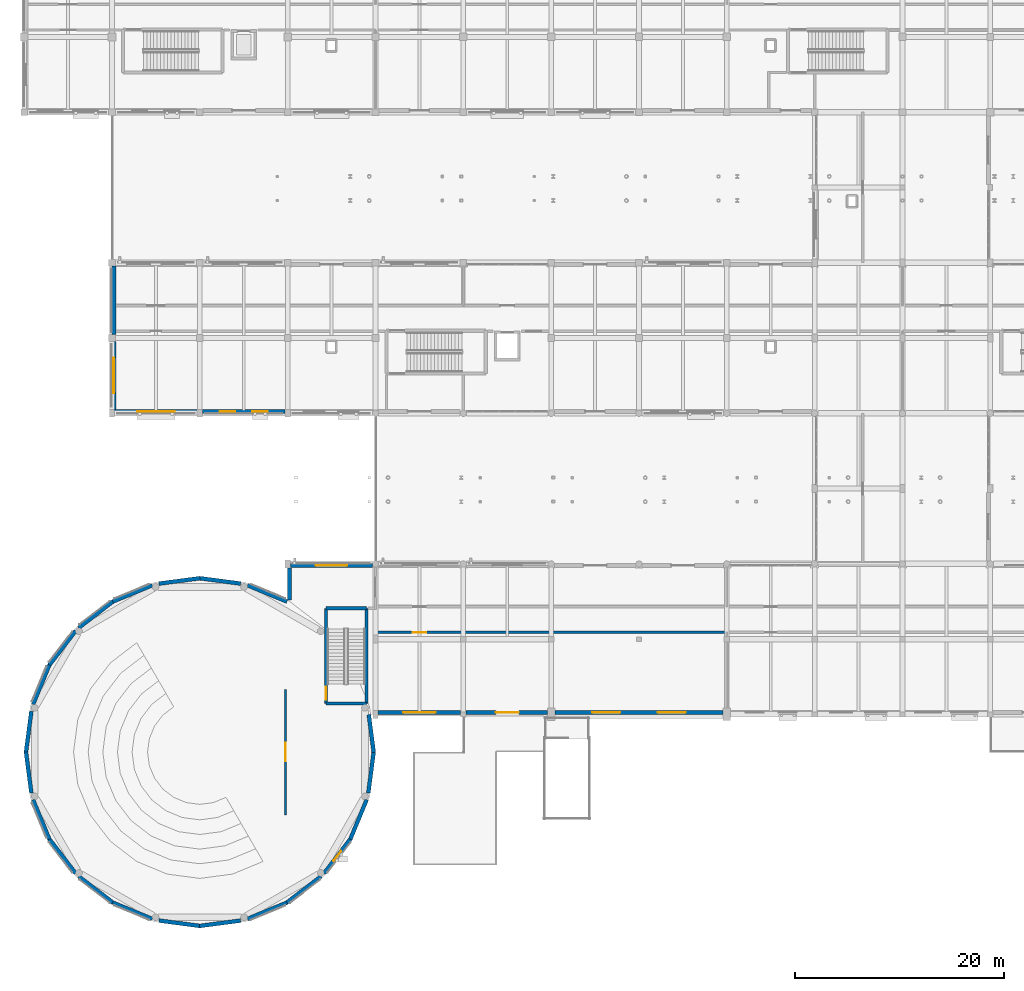
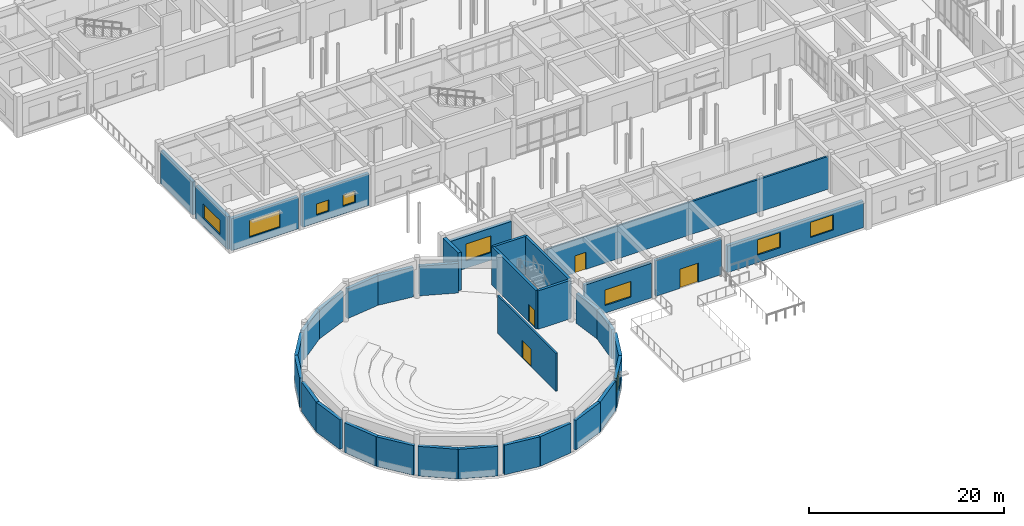
# One storey, part 72 of 121: 36 walls, 9 windows, 4 doors, 13 openings.
"""IFC4 building model written with IfcOpenShell, lengths in metres."""

from ifc_helpers import new_model, si_unit, direction, frame, frame_2d, origin, place, context, subcontext, project, spatial, rectangle, extrude, material, layer, layer_set, type_object, element, fill, save


model = new_model("IFC4")

# Units and contexts
model_context = context("Model", 3, precision=1e-05, world=origin(), true_north=direction((0.0, 1.0)))
body_context = subcontext(model_context, "Body", "Model", "MODEL_VIEW")
ifc_project = project(units=[si_unit("LENGTHUNIT", "METRE"), si_unit("AREAUNIT", "SQUARE_METRE"), si_unit("VOLUMEUNIT", "CUBIC_METRE"), si_unit("PLANEANGLEUNIT", "RADIAN"), si_unit("MASSUNIT", "GRAM", prefix="KILO")], contexts=[model_context])

# Site, building, storey
site_placement = place(None, origin())
site = spatial("IfcSite", under=ifc_project, at=site_placement, CompositionType="ELEMENT")
building_placement = place(site_placement, origin())
building = spatial("IfcBuilding", under=site, at=building_placement, Name="Malvenik Polytechnic", CompositionType="ELEMENT")
storey_placement = place(building_placement, origin())
storey = spatial("IfcBuildingStorey", under=building, at=storey_placement, Name="L00", CompositionType="ELEMENT", Elevation=0.0)

# Wall
ifc_material_1 = material(Name="Concrete C35/45", Category="concrete")
ifc_layer_1 = layer(ifc_material_1, 0.300048828125)
ifc_layer_set_1 = layer_set([ifc_layer_1], Name="Concrete C35/45")
wall_type_1 = type_object("IfcWallType", Name="ARC-CW-S300", PredefinedType="SHEAR", material=ifc_layer_set_1)
wall_1_placement = place(storey_placement, frame((32.75, 22.64990234375, 0.0), z_axis=(0.0, 0.0, 1.0), x_axis=(-1.0, 0.0, 0.0)))
element("IfcWall", 1, at=wall_1_placement, inside=storey, type_object=wall_type_1, Name="Stair Core Shear Wall ST-09 L00 NEAR", PredefinedType="SHEAR", context=body_context, shape_type="SweptSolid", body=[
    extrude(rectangle(XDim=3.89990234375, YDim=0.300048828125, at=frame_2d((1.949951171875, 0.0))), origin(), (0.0, 0.0, 1.0), 4.820068359375),
])

# Wall, opening, door
wall_2_placement = place(storey_placement, frame((28.85009765625, 22.64990234375, 0.0), z_axis=(0.0, 0.0, 1.0), x_axis=(0.0, 1.0, 0.0)))
wall_2 = element("IfcWall", 2, at=wall_2_placement, inside=storey, type_object=wall_type_1, Name="Stair Core Shear Wall ST-09 L00 RGHT", PredefinedType="SHEAR", context=body_context, shape_type="SweptSolid", body=[
    extrude(rectangle(XDim=9.10009765625, YDim=0.300048828125, at=frame_2d((4.550048828125, 0.0))), origin(), (0.0, 0.0, 1.0), 4.820068359375),
])
opening_1_placement = place(wall_2_placement, frame((0.35009765625, 0.0, 0.0)))
opening_1 = element("IfcOpeningElement", 3, at=opening_1_placement, cuts=wall_2, Name="Opening SD-02", PredefinedType="OPENING", context=body_context, shape_type="SweptSolid", body=[
    extrude(rectangle(XDim=1.25, YDim=2.199951171875, at=frame_2d((0.625, 1.10009765625))), frame((0.0, 0.16015625, 0.0), z_axis=(0.0, -1.0, 0.0), x_axis=(1.0, 0.0, 0.0)), (0.0, 0.0, 1.0), 0.320068359375),
])
ifc_material_2 = material(Name="Fire-rated steel stair enclosure door", Category="steel")
door_type_1 = type_object("IfcDoorType", Name="ARC-IDR-SD-02", OperationType="NOTDEFINED", PredefinedType="DOOR", material=ifc_material_2)
door_1_placement = place(opening_1_placement, origin())
door_1 = element("IfcDoor", 4, at=door_1_placement, inside=storey, type_object=door_type_1, Name="Fire Stair Door ST-09 L00", OperationType="SINGLE_SWING_LEFT", OverallHeight=2.199951171875, OverallWidth=1.25, PredefinedType="DOOR", context=body_context, shape_type="SweptSolid", body=[
    extrude(rectangle(XDim=1.25, YDim=2.199951171875, at=frame_2d((0.625, 1.10009765625))), frame((0.0, 0.02490234375, 0.0), z_axis=(0.0, -1.0, 0.0), x_axis=(1.0, 0.0, 0.0)), (0.0, 0.0, 1.0), 0.050048828125),
])
fill(opening_1, door_1)

# Walls
wall_3_placement = place(storey_placement, frame((28.85009765625, 31.75, 0.0), z_axis=(0.0, 0.0, 1.0), x_axis=(1.0, 0.0, 0.0)))
element("IfcWall", 5, at=wall_3_placement, inside=storey, type_object=wall_type_1, Name="Stair Core Shear Wall ST-09 L00 FAR", PredefinedType="SHEAR", context=body_context, shape_type="SweptSolid", body=[
    extrude(rectangle(XDim=3.89990234375, YDim=0.300048828125, at=frame_2d((1.949951171875, 0.0))), origin(), (0.0, 0.0, 1.0), 4.820068359375),
])
wall_4_placement = place(storey_placement, frame((32.75, 31.75, 0.0), z_axis=(0.0, 0.0, 1.0), x_axis=(0.0, -1.0, 0.0)))
element("IfcWall", 6, at=wall_4_placement, inside=storey, type_object=wall_type_1, Name="Stair Core Shear Wall ST-09 L00 LEFT", PredefinedType="SHEAR", context=body_context, shape_type="SweptSolid", body=[
    extrude(rectangle(XDim=9.10009765625, YDim=0.300048828125, at=frame_2d((4.550048828125, 0.0))), origin(), (0.0, 0.0, 1.0), 4.820068359375),
])

# Wall, opening, window
ifc_material_3 = material(Name="Concrete C30/37", Category="concrete")
ifc_layer_2 = layer(ifc_material_3, 0.3798828125)
ifc_layer_set_2 = layer_set([ifc_layer_2], Name="Concrete C30/37")
wall_type_2 = type_object("IfcWallType", Name="ARC-EW-380", PredefinedType="SOLIDWALL", material=ifc_layer_set_2)
wall_5_placement = place(storey_placement, frame((31.21435546875, 9.70361328125, 0.0), z_axis=(0.0, 0.0, 1.0), x_axis=(-0.608750869434, -0.793361442826, 0.0)))
wall_5 = element("IfcWall", 7, at=wall_5_placement, inside=storey, type_object=wall_type_2, Name="External Facade Wall EW-01 L00 #12", PredefinedType="SOLIDWALL", context=body_context, shape_type="SweptSolid", body=[
    extrude(rectangle(XDim=4.156494140625, YDim=0.3798828125, at=frame_2d((2.078125, 0.0))), origin(), (0.0, 0.0, 1.0), 3.7099609375),
])
opening_2_placement = place(wall_5_placement, frame((1.478271484375, 0.0, 0.949951171875)))
opening_2 = element("IfcOpeningElement", 8, at=opening_2_placement, cuts=wall_5, Name="Opening W-07", PredefinedType="OPENING", context=body_context, shape_type="SweptSolid", body=[
    extrude(rectangle(XDim=1.199951171875, YDim=1.800048828125, at=frame_2d((0.60009765625, 0.89990234375))), frame((0.0, 0.199951171875, 0.0), z_axis=(0.0, -1.0, 0.0), x_axis=(1.0, 0.0, 0.0)), (0.0, 0.0, 1.0), 0.39990234375),
])
ifc_material_4 = material(Name="Thermally broken aluminium frame with low-E double glazing", Category="aluminium")
window_type_1 = type_object("IfcWindowType", Name="ARC-WIN-W-07", PartitioningType="SINGLE_PANEL", PredefinedType="WINDOW", material=ifc_material_4)
window_1_placement = place(opening_2_placement, origin())
window_1 = element("IfcWindow", 9, at=window_1_placement, inside=storey, type_object=window_type_1, Name="Punched Window W-07 L00 #1", OverallHeight=1.800048828125, OverallWidth=1.199951171875, PartitioningType="SINGLE_PANEL", PredefinedType="WINDOW", context=body_context, shape_type="SweptSolid", body=[
    extrude(rectangle(XDim=1.199951171875, YDim=1.800048828125, at=frame_2d((0.60009765625, 0.89990234375))), frame((0.0, 0.030029296875, 0.0), z_axis=(0.0, -1.0, 0.0), x_axis=(1.0, 0.0, 0.0)), (0.0, 0.0, 1.0), 0.06005859375),
])
fill(opening_2, window_1)

# Walls
wall_6_placement = place(storey_placement, frame((28.39404296875, 6.115966796875, 0.0), z_axis=(0.0, 0.0, 1.0), x_axis=(-0.793361442826, -0.608750869434, 0.0)))
element("IfcWall", 10, at=wall_6_placement, inside=storey, type_object=wall_type_2, Name="External Facade Wall EW-01 L00 #13", PredefinedType="SOLIDWALL", context=body_context, shape_type="SweptSolid", body=[
    extrude(rectangle(XDim=4.156494140625, YDim=0.3798828125, at=frame_2d((2.078125, 0.0))), origin(), (0.0, 0.0, 1.0), 3.7099609375),
])
wall_7_placement = place(storey_placement, frame((25.135009765625, 3.60791015625, 0.0), z_axis=(0.0, 0.0, 1.0), x_axis=(-0.923864101576, -0.382720683815, 0.0)))
element("IfcWall", 11, at=wall_7_placement, inside=storey, type_object=wall_type_2, Name="External Facade Wall EW-01 L00 #14", PredefinedType="SOLIDWALL", context=body_context, shape_type="SweptSolid", body=[
    extrude(rectangle(XDim=4.091552734375, YDim=0.3798828125, at=frame_2d((2.0458984375, 0.0))), origin(), (0.0, 0.0, 1.0), 3.7099609375),
])
for number, where, z_axis, x_axis, name in (
    (12, (20.708984375, 1.885986328125, 0.0), (0.0, 0.0, 1.0), (-0.991443813666, -0.130534150104, 0.0), "External Facade Wall EW-01 L00 #15"),
    (13, (16.822265625, 1.368408203125, 0.0), (0.0, 0.0, 1.0), (-0.991443813666, 0.130534150104, 0.0), "External Facade Wall EW-01 L00 #16"),
):
    element("IfcWall", number, at=place(storey_placement, frame(where, z_axis=z_axis, x_axis=x_axis)), inside=storey, type_object=wall_type_2, Name=name, PredefinedType="SOLIDWALL", context=body_context, shape_type="SweptSolid", body=[
        extrude(rectangle(XDim=3.965087890625, YDim=0.3798828125, at=frame_2d((1.982421875, 0.0))), origin(), (0.0, 0.0, 1.0), 3.7099609375),
    ])
wall_8_placement = place(storey_placement, frame((12.2451171875, 2.0419921875, 0.0), z_axis=(0.0, 0.0, 1.0), x_axis=(-0.923864101576, 0.382720683815, 0.0)))
element("IfcWall", 14, at=wall_8_placement, inside=storey, type_object=wall_type_2, Name="External Facade Wall EW-01 L00 #17", PredefinedType="SOLIDWALL", context=body_context, shape_type="SweptSolid", body=[
    extrude(rectangle(XDim=4.091552734375, YDim=0.3798828125, at=frame_2d((2.0458984375, 0.0))), origin(), (0.0, 0.0, 1.0), 3.7099609375),
])
for number, where, z_axis, x_axis, name in (
    (15, (8.50341796875, 3.585693359375, 0.0), (0.0, 0.0, 1.0), (-0.793361442826, 0.608750869434, 0.0), "External Facade Wall EW-01 L00 #18"),
    (16, (4.916015625, 6.406005859375, 0.0), (0.0, 0.0, 1.0), (-0.608750869434, 0.793361442826, 0.0), "External Facade Wall EW-01 L00 #19"),
):
    element("IfcWall", number, at=place(storey_placement, frame(where, z_axis=z_axis, x_axis=x_axis)), inside=storey, type_object=wall_type_2, Name=name, PredefinedType="SOLIDWALL", context=body_context, shape_type="SweptSolid", body=[
        extrude(rectangle(XDim=4.156494140625, YDim=0.3798828125, at=frame_2d((2.078125, 0.0))), origin(), (0.0, 0.0, 1.0), 3.7099609375),
    ])
wall_9_placement = place(storey_placement, frame((2.407958984375, 9.6650390625, 0.0), z_axis=(0.0, 0.0, 1.0), x_axis=(-0.382720683815, 0.923864101576, 0.0)))
element("IfcWall", 17, at=wall_9_placement, inside=storey, type_object=wall_type_2, Name="External Facade Wall EW-01 L00 #20", PredefinedType="SOLIDWALL", context=body_context, shape_type="SweptSolid", body=[
    extrude(rectangle(XDim=4.091552734375, YDim=0.3798828125, at=frame_2d((2.0458984375, 0.0))), origin(), (0.0, 0.0, 1.0), 3.7099609375),
])
for number, where, z_axis, x_axis, name in (
    (18, (0.68603515625, 14.091064453125, 0.0), (0.0, 0.0, 1.0), (-0.130534150104, 0.991443813666, 0.0), "External Facade Wall EW-01 L00 #21"),
    (19, (0.16845703125, 17.977783203125, 0.0), (0.0, 0.0, 1.0), (0.130534150104, 0.991443813666, 0.0), "External Facade Wall EW-01 L00 #22"),
):
    element("IfcWall", number, at=place(storey_placement, frame(where, z_axis=z_axis, x_axis=x_axis)), inside=storey, type_object=wall_type_2, Name=name, PredefinedType="SOLIDWALL", context=body_context, shape_type="SweptSolid", body=[
        extrude(rectangle(XDim=3.965087890625, YDim=0.3798828125, at=frame_2d((1.982421875, 0.0))), origin(), (0.0, 0.0, 1.0), 3.7099609375),
    ])
wall_10_placement = place(storey_placement, frame((0.842041015625, 22.554931640625, 0.0), z_axis=(0.0, 0.0, 1.0), x_axis=(0.382720683815, 0.923864101576, 0.0)))
element("IfcWall", 20, at=wall_10_placement, inside=storey, type_object=wall_type_2, Name="External Facade Wall EW-01 L00 #23", PredefinedType="SOLIDWALL", context=body_context, shape_type="SweptSolid", body=[
    extrude(rectangle(XDim=4.091552734375, YDim=0.3798828125, at=frame_2d((2.0458984375, 0.0))), origin(), (0.0, 0.0, 1.0), 3.7099609375),
])
for number, where, z_axis, x_axis, name in (
    (21, (2.3857421875, 26.29638671875, 0.0), (0.0, 0.0, 1.0), (0.608750869434, 0.793361442826, 0.0), "External Facade Wall EW-01 L00 #24"),
    (22, (5.205810546875, 29.884033203125, 0.0), (0.0, 0.0, 1.0), (0.793361442826, 0.608750869434, 0.0), "External Facade Wall EW-01 L00 #25"),
):
    element("IfcWall", number, at=place(storey_placement, frame(where, z_axis=z_axis, x_axis=x_axis)), inside=storey, type_object=wall_type_2, Name=name, PredefinedType="SOLIDWALL", context=body_context, shape_type="SweptSolid", body=[
        extrude(rectangle(XDim=4.156494140625, YDim=0.3798828125, at=frame_2d((2.078125, 0.0))), origin(), (0.0, 0.0, 1.0), 3.7099609375),
    ])
wall_11_placement = place(storey_placement, frame((8.465087890625, 32.39208984375, 0.0), z_axis=(0.0, 0.0, 1.0), x_axis=(0.923864101576, 0.382720683815, 0.0)))
element("IfcWall", 23, at=wall_11_placement, inside=storey, type_object=wall_type_2, Name="External Facade Wall EW-01 L00 #26", PredefinedType="SOLIDWALL", context=body_context, shape_type="SweptSolid", body=[
    extrude(rectangle(XDim=4.091552734375, YDim=0.3798828125, at=frame_2d((2.0458984375, 0.0))), origin(), (0.0, 0.0, 1.0), 3.7099609375),
])
for number, where, z_axis, x_axis, name in (
    (24, (12.89111328125, 34.114013671875, 0.0), (0.0, 0.0, 1.0), (0.991443813666, 0.130534150104, 0.0), "External Facade Wall EW-01 L00 #27"),
    (25, (16.77783203125, 34.631591796875, 0.0), (0.0, 0.0, 1.0), (0.991443813666, -0.130534150104, 0.0), "External Facade Wall EW-01 L00 #28"),
):
    element("IfcWall", number, at=place(storey_placement, frame(where, z_axis=z_axis, x_axis=x_axis)), inside=storey, type_object=wall_type_2, Name=name, PredefinedType="SOLIDWALL", context=body_context, shape_type="SweptSolid", body=[
        extrude(rectangle(XDim=3.965087890625, YDim=0.3798828125, at=frame_2d((1.982421875, 0.0))), origin(), (0.0, 0.0, 1.0), 3.7099609375),
    ])
wall_12_placement = place(storey_placement, frame((21.35498046875, 33.9580078125, 0.0), z_axis=(0.0, 0.0, 1.0), x_axis=(0.923864101576, -0.382720683815, 0.0)))
element("IfcWall", 26, at=wall_12_placement, inside=storey, type_object=wall_type_2, Name="External Facade Wall EW-01 L00 #29", PredefinedType="SOLIDWALL", context=body_context, shape_type="SweptSolid", body=[
    extrude(rectangle(XDim=4.091552734375, YDim=0.3798828125, at=frame_2d((2.0458984375, 0.0))), origin(), (0.0, 0.0, 1.0), 3.7099609375),
])
wall_13_placement = place(storey_placement, frame((25.3701171875, 32.54931640625, 0.0), z_axis=(0.0, 0.0, 1.0), x_axis=(0.0, 1.0, 0.0)))
element("IfcWall", 27, at=wall_13_placement, inside=storey, type_object=wall_type_2, Name="External Facade Wall EW-01 L00 #30", PredefinedType="SOLIDWALL", context=body_context, shape_type="SweptSolid", body=[
    extrude(rectangle(XDim=3.07763671875, YDim=0.3798828125, at=frame_2d((1.538818359375, 0.0))), origin(), (0.0, 0.0, 1.0), 4.760009765625),
])

# Wall, opening, window
wall_14_placement = place(storey_placement, frame((25.447998046875, 35.830078125, 0.0), z_axis=(0.0, 0.0, 1.0), x_axis=(1.0, 0.0, 0.0)))
wall_14 = element("IfcWall", 28, at=wall_14_placement, inside=storey, type_object=wall_type_2, Name="External Facade Wall EW-01 L00 #31", PredefinedType="SOLIDWALL", context=body_context, shape_type="SweptSolid", body=[
    extrude(rectangle(XDim=7.85400390625, YDim=0.3798828125, at=frame_2d((3.927001953125, 0.0))), origin(), (0.0, 0.0, 1.0), 4.010009765625),
])
opening_3_placement = place(wall_14_placement, frame((2.427001953125, 0.0, 0.949951171875)))
opening_3 = element("IfcOpeningElement", 29, at=opening_3_placement, cuts=wall_14, Name="Opening W-08", PredefinedType="OPENING", context=body_context, shape_type="SweptSolid", body=[
    extrude(rectangle(XDim=3.0, YDim=2.10009765625, at=frame_2d((1.5, 1.050048828125))), frame((0.0, 0.199951171875, 0.0), z_axis=(0.0, -1.0, 0.0), x_axis=(1.0, 0.0, 0.0)), (0.0, 0.0, 1.0), 0.39990234375),
])
window_type_2 = type_object("IfcWindowType", Name="ARC-WIN-W-08", PartitioningType="SINGLE_PANEL", PredefinedType="WINDOW", material=ifc_material_4)
window_2_placement = place(opening_3_placement, origin())
window_2 = element("IfcWindow", 30, at=window_2_placement, inside=storey, type_object=window_type_2, Name="Punched Window W-08 L00 #2", OverallHeight=2.10009765625, OverallWidth=3.0, PartitioningType="SINGLE_PANEL", PredefinedType="WINDOW", context=body_context, shape_type="SweptSolid", body=[
    extrude(rectangle(XDim=3.0, YDim=2.10009765625, at=frame_2d((1.5, 1.050048828125))), frame((0.0, 0.030029296875, 0.0), z_axis=(0.0, -1.0, 0.0), x_axis=(1.0, 0.0, 0.0)), (0.0, 0.0, 1.0), 0.06005859375),
])
fill(opening_3, window_2)

# Wall, openings, windows
wall_15_placement = place(storey_placement, frame((24.951904296875, 50.570068359375, 0.0), z_axis=(0.0, 0.0, 1.0), x_axis=(-1.0, 0.0, 0.0)))
wall_15 = element("IfcWall", 31, at=wall_15_placement, inside=storey, type_object=wall_type_2, Name="External Facade Wall EW-01 L00 #41", PredefinedType="SOLIDWALL", context=body_context, shape_type="SweptSolid", body=[
    extrude(rectangle(XDim=7.90380859375, YDim=0.3798828125, at=frame_2d((3.951904296875, 0.0))), origin(), (0.0, 0.0, 1.0), 4.010009765625),
])
opening_4_placement = place(wall_15_placement, frame((1.634765625, 0.0, 0.949951171875)))
opening_4 = element("IfcOpeningElement", 32, at=opening_4_placement, cuts=wall_15, Name="Opening W-15", PredefinedType="OPENING", context=body_context, shape_type="SweptSolid", body=[
    extrude(rectangle(XDim=1.5, YDim=1.39990234375, at=frame_2d((0.75, 0.699951171875))), frame((0.0, 0.199951171875, 0.0), z_axis=(0.0, -1.0, 0.0), x_axis=(1.0, 0.0, 0.0)), (0.0, 0.0, 1.0), 0.39990234375),
])
opening_5_placement = place(wall_15_placement, frame((4.769287109375, 0.0, 0.949951171875)))
opening_5 = element("IfcOpeningElement", 33, at=opening_5_placement, cuts=wall_15, Name="Opening W-15", PredefinedType="OPENING", context=body_context, shape_type="SweptSolid", body=[
    extrude(rectangle(XDim=1.5, YDim=1.39990234375, at=frame_2d((0.75, 0.699951171875))), frame((0.0, 0.199951171875, 0.0), z_axis=(0.0, -1.0, 0.0), x_axis=(1.0, 0.0, 0.0)), (0.0, 0.0, 1.0), 0.39990234375),
])
window_type_3 = type_object("IfcWindowType", Name="ARC-WIN-W-15", PartitioningType="SINGLE_PANEL", PredefinedType="WINDOW", material=ifc_material_4)
window_3_placement = place(opening_4_placement, origin())
window_3 = element("IfcWindow", 34, at=window_3_placement, inside=storey, type_object=window_type_3, Name="Punched Window W-15 L00 #9", OverallHeight=1.39990234375, OverallWidth=1.5, PartitioningType="SINGLE_PANEL", PredefinedType="WINDOW", context=body_context, shape_type="SweptSolid", body=[
    extrude(rectangle(XDim=1.5, YDim=1.39990234375, at=frame_2d((0.75, 0.699951171875))), frame((0.0, 0.030029296875, 0.0), z_axis=(0.0, -1.0, 0.0), x_axis=(1.0, 0.0, 0.0)), (0.0, 0.0, 1.0), 0.06005859375),
])
fill(opening_4, window_3)
window_4_placement = place(opening_5_placement, origin())
window_4 = element("IfcWindow", 35, at=window_4_placement, inside=storey, type_object=window_type_3, Name="Punched Window W-15 L00 #10", OverallHeight=1.39990234375, OverallWidth=1.5, PartitioningType="SINGLE_PANEL", PredefinedType="WINDOW", context=body_context, shape_type="SweptSolid", body=[
    extrude(rectangle(XDim=1.5, YDim=1.39990234375, at=frame_2d((0.75, 0.699951171875))), frame((0.0, 0.030029296875, 0.0), z_axis=(0.0, -1.0, 0.0), x_axis=(1.0, 0.0, 0.0)), (0.0, 0.0, 1.0), 0.06005859375),
])
fill(opening_5, window_4)

# Wall, opening, window
wall_16_placement = place(storey_placement, frame((16.552001953125, 50.570068359375, 0.0), z_axis=(0.0, 0.0, 1.0), x_axis=(-1.0, 0.0, 0.0)))
wall_16 = element("IfcWall", 36, at=wall_16_placement, inside=storey, type_object=wall_type_2, Name="External Facade Wall EW-01 L00 #42", PredefinedType="SOLIDWALL", context=body_context, shape_type="SweptSolid", body=[
    extrude(rectangle(XDim=7.904052734375, YDim=0.3798828125, at=frame_2d((3.9521484375, 0.0))), origin(), (0.0, 0.0, 1.0), 4.010009765625),
])
opening_6_placement = place(wall_16_placement, frame((2.152099609375, 0.0, 0.949951171875)))
opening_6 = element("IfcOpeningElement", 37, at=opening_6_placement, cuts=wall_16, Name="Opening W-17", PredefinedType="OPENING", context=body_context, shape_type="SweptSolid", body=[
    extrude(rectangle(XDim=3.60009765625, YDim=2.10009765625, at=frame_2d((1.800048828125, 1.050048828125))), frame((0.0, 0.199951171875, 0.0), z_axis=(0.0, -1.0, 0.0), x_axis=(1.0, 0.0, 0.0)), (0.0, 0.0, 1.0), 0.39990234375),
])
window_type_4 = type_object("IfcWindowType", Name="ARC-WIN-W-17", PartitioningType="SINGLE_PANEL", PredefinedType="WINDOW", material=ifc_material_4)
window_5_placement = place(opening_6_placement, origin())
window_5 = element("IfcWindow", 38, at=window_5_placement, inside=storey, type_object=window_type_4, Name="Punched Window W-17 L00 #11", OverallHeight=2.10009765625, OverallWidth=3.60009765625, PartitioningType="SINGLE_PANEL", PredefinedType="WINDOW", context=body_context, shape_type="SweptSolid", body=[
    extrude(rectangle(XDim=3.60009765625, YDim=2.10009765625, at=frame_2d((1.800048828125, 1.050048828125))), frame((0.0, 0.030029296875, 0.0), z_axis=(0.0, -1.0, 0.0), x_axis=(1.0, 0.0, 0.0)), (0.0, 0.0, 1.0), 0.06005859375),
])
fill(opening_6, window_5)

wall_17_placement = place(storey_placement, frame((8.570068359375, 50.77294921875, 0.0), z_axis=(0.0, 0.0, 1.0), x_axis=(0.0, 1.0, 0.0)))
wall_17 = element("IfcWall", 39, at=wall_17_placement, inside=storey, type_object=wall_type_2, Name="External Facade Wall EW-01 L00 #43", PredefinedType="SOLIDWALL", context=body_context, shape_type="SweptSolid", body=[
    extrude(rectangle(XDim=6.504150390625, YDim=0.3798828125, at=frame_2d((3.251953125, 0.0))), origin(), (0.0, 0.0, 1.0), 4.110107421875),
])
opening_7_placement = place(wall_17_placement, frame((1.552001953125, 0.0, 0.949951171875)))
opening_7 = element("IfcOpeningElement", 40, at=opening_7_placement, cuts=wall_17, Name="Opening W-18", PredefinedType="OPENING", context=body_context, shape_type="SweptSolid", body=[
    extrude(rectangle(XDim=3.39990234375, YDim=1.800048828125, at=frame_2d((1.699951171875, 0.89990234375))), frame((0.0, 0.199951171875, 0.0), z_axis=(0.0, -1.0, 0.0), x_axis=(1.0, 0.0, 0.0)), (0.0, 0.0, 1.0), 0.39990234375),
])
window_type_5 = type_object("IfcWindowType", Name="ARC-WIN-W-18", PartitioningType="SINGLE_PANEL", PredefinedType="WINDOW", material=ifc_material_4)
window_6_placement = place(opening_7_placement, origin())
window_6 = element("IfcWindow", 41, at=window_6_placement, inside=storey, type_object=window_type_5, Name="Punched Window W-18 L00 #12", OverallHeight=1.800048828125, OverallWidth=3.39990234375, PartitioningType="SINGLE_PANEL", PredefinedType="WINDOW", context=body_context, shape_type="SweptSolid", body=[
    extrude(rectangle(XDim=3.39990234375, YDim=1.800048828125, at=frame_2d((1.699951171875, 0.89990234375))), frame((0.0, 0.030029296875, 0.0), z_axis=(0.0, -1.0, 0.0), x_axis=(1.0, 0.0, 0.0)), (0.0, 0.0, 1.0), 0.06005859375),
])
fill(opening_7, window_6)

# Wall
wall_18_placement = place(storey_placement, frame((8.570068359375, 57.923095703125, 0.0), z_axis=(0.0, 0.0, 1.0), x_axis=(0.0, 1.0, 0.0)))
element("IfcWall", 42, at=wall_18_placement, inside=storey, type_object=wall_type_2, Name="External Facade Wall EW-01 L00 #44", PredefinedType="SOLIDWALL", context=body_context, shape_type="SweptSolid", body=[
    extrude(rectangle(XDim=6.553955078125, YDim=0.3798828125, at=frame_2d((3.27685546875, 0.0))), origin(), (0.0, 0.0, 1.0), 4.110107421875),
])

# Wall, openings, windows
wall_19_placement = place(storey_placement, frame((66.85205078125, 21.77001953125, 0.0), z_axis=(0.0, 0.0, 1.0), x_axis=(-1.0, 0.0, 0.0)))
wall_19 = element("IfcWall", 43, at=wall_19_placement, inside=storey, type_object=wall_type_2, Name="External Facade Wall EW-01 L00 #151", PredefinedType="SOLIDWALL", context=body_context, shape_type="SweptSolid", body=[
    extrude(rectangle(XDim=16.10400390625, YDim=0.3798828125, at=frame_2d((8.052001953125, 0.0))), origin(), (0.0, 0.0, 1.0), 3.31005859375),
])
opening_8_placement = place(wall_19_placement, frame((3.568115234375, 0.0, 0.949951171875)))
opening_8 = element("IfcOpeningElement", 44, at=opening_8_placement, cuts=wall_19, Name="Opening W-27", PredefinedType="OPENING", context=body_context, shape_type="SweptSolid", body=[
    extrude(rectangle(XDim=2.699951171875, YDim=1.89990234375, at=frame_2d((1.35009765625, 0.949951171875))), frame((0.0, 0.199951171875, 0.0), z_axis=(0.0, -1.0, 0.0), x_axis=(1.0, 0.0, 0.0)), (0.0, 0.0, 1.0), 0.39990234375),
])
opening_9_placement = place(wall_19_placement, frame((9.8359375, 0.0, 0.949951171875)))
opening_9 = element("IfcOpeningElement", 45, at=opening_9_placement, cuts=wall_19, Name="Opening W-27", PredefinedType="OPENING", context=body_context, shape_type="SweptSolid", body=[
    extrude(rectangle(XDim=2.699951171875, YDim=1.89990234375, at=frame_2d((1.35009765625, 0.949951171875))), frame((0.0, 0.199951171875, 0.0), z_axis=(0.0, -1.0, 0.0), x_axis=(1.0, 0.0, 0.0)), (0.0, 0.0, 1.0), 0.39990234375),
])
window_type_6 = type_object("IfcWindowType", Name="ARC-WIN-W-27", PartitioningType="SINGLE_PANEL", PredefinedType="WINDOW", material=ifc_material_4)
window_7_placement = place(opening_8_placement, origin())
window_7 = element("IfcWindow", 46, at=window_7_placement, inside=storey, type_object=window_type_6, Name="Punched Window W-27 L00 #117", OverallHeight=1.89990234375, OverallWidth=2.699951171875, PartitioningType="SINGLE_PANEL", PredefinedType="WINDOW", context=body_context, shape_type="SweptSolid", body=[
    extrude(rectangle(XDim=2.699951171875, YDim=1.89990234375, at=frame_2d((1.35009765625, 0.949951171875))), frame((0.0, 0.030029296875, 0.0), z_axis=(0.0, -1.0, 0.0), x_axis=(1.0, 0.0, 0.0)), (0.0, 0.0, 1.0), 0.06005859375),
])
fill(opening_8, window_7)
window_8_placement = place(opening_9_placement, origin())
window_8 = element("IfcWindow", 47, at=window_8_placement, inside=storey, type_object=window_type_6, Name="Punched Window W-27 L00 #118", OverallHeight=1.89990234375, OverallWidth=2.699951171875, PartitioningType="SINGLE_PANEL", PredefinedType="WINDOW", context=body_context, shape_type="SweptSolid", body=[
    extrude(rectangle(XDim=2.699951171875, YDim=1.89990234375, at=frame_2d((1.35009765625, 0.949951171875))), frame((0.0, 0.030029296875, 0.0), z_axis=(0.0, -1.0, 0.0), x_axis=(1.0, 0.0, 0.0)), (0.0, 0.0, 1.0), 0.06005859375),
])
fill(opening_9, window_8)

# Wall, opening, door
wall_20_placement = place(storey_placement, frame((50.052001953125, 21.77001953125, 0.0), z_axis=(0.0, 0.0, 1.0), x_axis=(-1.0, 0.0, 0.0)))
wall_20 = element("IfcWall", 48, at=wall_20_placement, inside=storey, type_object=wall_type_2, Name="External Facade Wall EW-01 L00 #152", PredefinedType="SOLIDWALL", context=body_context, shape_type="SweptSolid", body=[
    extrude(rectangle(XDim=7.803955078125, YDim=0.3798828125, at=frame_2d((3.90185546875, 0.0))), origin(), (0.0, 0.0, 1.0), 4.468017578125),
])
opening_10_placement = place(wall_20_placement, frame((2.751953125, 0.0, 0.0)))
opening_10 = element("IfcOpeningElement", 49, at=opening_10_placement, cuts=wall_20, Name="Opening ED-02", PredefinedType="OPENING", context=body_context, shape_type="SweptSolid", body=[
    extrude(rectangle(XDim=2.199951171875, YDim=2.39990234375, at=frame_2d((1.10009765625, 1.199951171875))), frame((0.0, 0.199951171875, 0.0), z_axis=(0.0, -1.0, 0.0), x_axis=(1.0, 0.0, 0.0)), (0.0, 0.0, 1.0), 0.39990234375),
])
ifc_material_5 = material(Name="Thermally broken glazed aluminium entrance door", Category="aluminium")
door_type_2 = type_object("IfcDoorType", Name="ARC-EDR-ED-02", OperationType="NOTDEFINED", PredefinedType="DOOR", material=ifc_material_5)
door_2_placement = place(opening_10_placement, origin())
door_2 = element("IfcDoor", 50, at=door_2_placement, inside=storey, type_object=door_type_2, Name="External Door ED-02 L00 #34", OperationType="DOUBLE_DOOR_SINGLE_SWING", OverallHeight=2.39990234375, OverallWidth=2.199951171875, PredefinedType="DOOR", context=body_context, shape_type="SweptSolid", body=[
    extrude(rectangle(XDim=2.199951171875, YDim=2.39990234375, at=frame_2d((1.10009765625, 1.199951171875))), frame((0.0, 0.02490234375, 0.0), z_axis=(0.0, -1.0, 0.0), x_axis=(1.0, 0.0, 0.0)), (0.0, 0.0, 1.0), 0.050048828125),
])
fill(opening_10, door_2)

# Wall, opening, window
wall_21_placement = place(storey_placement, frame((41.751953125, 21.77001953125, 0.0), z_axis=(0.0, 0.0, 1.0), x_axis=(-1.0, 0.0, 0.0)))
wall_21 = element("IfcWall", 51, at=wall_21_placement, inside=storey, type_object=wall_type_2, Name="External Facade Wall EW-01 L00 #153", PredefinedType="SOLIDWALL", context=body_context, shape_type="SweptSolid", body=[
    extrude(rectangle(XDim=7.904052734375, YDim=0.3798828125, at=frame_2d((3.9521484375, 0.0))), origin(), (0.0, 0.0, 1.0), 4.330078125),
])
opening_11_placement = place(wall_21_placement, frame((2.402099609375, 0.0, 0.949951171875)))
opening_11 = element("IfcOpeningElement", 52, at=opening_11_placement, cuts=wall_21, Name="Opening W-29", PredefinedType="OPENING", context=body_context, shape_type="SweptSolid", body=[
    extrude(rectangle(XDim=3.10009765625, YDim=1.949951171875, at=frame_2d((1.550048828125, 0.97509765625))), frame((0.0, 0.199951171875, 0.0), z_axis=(0.0, -1.0, 0.0), x_axis=(1.0, 0.0, 0.0)), (0.0, 0.0, 1.0), 0.39990234375),
])
window_type_7 = type_object("IfcWindowType", Name="ARC-WIN-W-29", PartitioningType="SINGLE_PANEL", PredefinedType="WINDOW", material=ifc_material_4)
window_9_placement = place(opening_11_placement, origin())
window_9 = element("IfcWindow", 53, at=window_9_placement, inside=storey, type_object=window_type_7, Name="Punched Window W-29 L00 #119", OverallHeight=1.949951171875, OverallWidth=3.10009765625, PartitioningType="SINGLE_PANEL", PredefinedType="WINDOW", context=body_context, shape_type="SweptSolid", body=[
    extrude(rectangle(XDim=3.10009765625, YDim=1.949951171875, at=frame_2d((1.550048828125, 0.97509765625))), frame((0.0, 0.030029296875, 0.0), z_axis=(0.0, -1.0, 0.0), x_axis=(1.0, 0.0, 0.0)), (0.0, 0.0, 1.0), 0.06005859375),
])
fill(opening_11, window_9)

# Walls
wall_22_placement = place(storey_placement, frame((32.95751953125, 21.577880859375, 0.0), z_axis=(0.0, 0.0, 1.0), x_axis=(0.130503210904, -0.991447886651, 0.0)))
element("IfcWall", 54, at=wall_22_placement, inside=storey, type_object=wall_type_2, Name="External Facade Wall EW-01 L00 #154", PredefinedType="SOLIDWALL", context=body_context, shape_type="SweptSolid", body=[
    extrude(rectangle(XDim=3.631103515625, YDim=0.3798828125, at=frame_2d((1.8154296875, 0.0))), origin(), (0.0, 0.0, 1.0), 3.7099609375),
])
wall_23_placement = place(storey_placement, frame((33.431396484375, 18.022216796875, 0.0), z_axis=(0.0, 0.0, 1.0), x_axis=(-0.130534150104, -0.991443813666, 0.0)))
element("IfcWall", 55, at=wall_23_placement, inside=storey, type_object=wall_type_2, Name="External Facade Wall EW-01 L00 #155", PredefinedType="SOLIDWALL", context=body_context, shape_type="SweptSolid", body=[
    extrude(rectangle(XDim=3.965087890625, YDim=0.3798828125, at=frame_2d((1.982421875, 0.0))), origin(), (0.0, 0.0, 1.0), 3.7099609375),
])
wall_24_placement = place(storey_placement, frame((32.7578125, 13.445068359375, 0.0), z_axis=(0.0, 0.0, 1.0), x_axis=(-0.3826697526, -0.923885198737, 0.0)))
element("IfcWall", 56, at=wall_24_placement, inside=storey, type_object=wall_type_2, Name="External Facade Wall EW-01 L00 #156", PredefinedType="SOLIDWALL", context=body_context, shape_type="SweptSolid", body=[
    extrude(rectangle(XDim=4.091552734375, YDim=0.3798828125, at=frame_2d((2.0458984375, 0.0))), origin(), (0.0, 0.0, 1.0), 3.7099609375),
])

# Wall, opening, door
ifc_material_6 = material(Name="Autoclaved aerated concrete blockwork 220mm", Category="masonry")
ifc_layer_3 = layer(ifc_material_6, 0.219970703125)
ifc_layer_set_3 = layer_set([ifc_layer_3], Name="Autoclaved aerated concrete blockwork 220mm")
wall_type_3 = type_object("IfcWallType", Name="ARC-FW-220", PredefinedType="SOLIDWALL", material=ifc_layer_set_3)
wall_25_placement = place(storey_placement, frame((67.199951171875, 29.449951171875, 0.0), z_axis=(0.0, 0.0, 1.0), x_axis=(-1.0, 0.0, 0.0)))
wall_25 = element("IfcWall", 57, at=wall_25_placement, inside=storey, type_object=wall_type_3, Name="Interior Partition FW-01 L00 #107", PredefinedType="SOLIDWALL", context=body_context, shape_type="SweptSolid", body=[
    extrude(rectangle(XDim=33.599853515625, YDim=0.219970703125, at=frame_2d((16.7998046875, 0.0))), origin(), (0.0, 0.0, 1.0), 4.10498046875),
])
opening_12_placement = place(wall_25_placement, frame((28.75, 0.0, 0.0)))
opening_12 = element("IfcOpeningElement", 58, at=opening_12_placement, cuts=wall_25, Name="Opening FD-04", PredefinedType="OPENING", context=body_context, shape_type="SweptSolid", body=[
    extrude(rectangle(XDim=1.300048828125, YDim=2.14990234375, at=frame_2d((0.64990234375, 1.074951171875))), frame((0.0, 0.1201171875, 0.0), z_axis=(0.0, -1.0, 0.0), x_axis=(1.0, 0.0, 0.0)), (0.0, 0.0, 1.0), 0.239990234375),
])
ifc_material_7 = material(Name="Fire-rated plant room steel door", Category="steel")
door_type_3 = type_object("IfcDoorType", Name="ARC-IDR-FD-04", OperationType="NOTDEFINED", PredefinedType="DOOR", material=ifc_material_7)
door_3_placement = place(opening_12_placement, origin())
door_3 = element("IfcDoor", 59, at=door_3_placement, inside=storey, type_object=door_type_3, Name="Interior Door FD-04 L00 #50", OperationType="SINGLE_SWING_RIGHT", OverallHeight=2.14990234375, OverallWidth=1.300048828125, PredefinedType="DOOR", context=body_context, shape_type="SweptSolid", body=[
    extrude(rectangle(XDim=1.300048828125, YDim=2.14990234375, at=frame_2d((0.64990234375, 1.074951171875))), frame((0.0, 0.02490234375, 0.0), z_axis=(0.0, -1.0, 0.0), x_axis=(1.0, 0.0, 0.0)), (0.0, 0.0, 1.0), 0.050048828125),
])
fill(opening_12, door_3)

wall_26_placement = place(storey_placement, frame((25.0, 12.0, 0.0), z_axis=(0.0, 0.0, 1.0), x_axis=(0.0, 1.0, 0.0)))
wall_26 = element("IfcWall", 60, at=wall_26_placement, inside=storey, type_object=wall_type_3, Name="Interior Partition FW-01 L00 #147", PredefinedType="SOLIDWALL", context=body_context, shape_type="SweptSolid", body=[
    extrude(rectangle(XDim=12.0, YDim=0.219970703125, at=frame_2d((6.0, 0.0))), origin(), (0.0, 0.0, 1.0), 4.75),
])
opening_13_placement = place(wall_26_placement, frame((5.10009765625, 0.0, 0.0)))
opening_13 = element("IfcOpeningElement", 61, at=opening_13_placement, cuts=wall_26, Name="Opening FD-02", PredefinedType="OPENING", context=body_context, shape_type="SweptSolid", body=[
    extrude(rectangle(XDim=1.800048828125, YDim=2.199951171875, at=frame_2d((0.89990234375, 1.10009765625))), frame((0.0, 0.1201171875, 0.0), z_axis=(0.0, -1.0, 0.0), x_axis=(1.0, 0.0, 0.0)), (0.0, 0.0, 1.0), 0.239990234375),
])
ifc_material_8 = material(Name="Fire-rated double-leaf corridor compartment door", Category="steel")
door_type_4 = type_object("IfcDoorType", Name="ARC-IDR-FD-02", OperationType="NOTDEFINED", PredefinedType="DOOR", material=ifc_material_8)
door_4_placement = place(opening_13_placement, origin())
door_4 = element("IfcDoor", 62, at=door_4_placement, inside=storey, type_object=door_type_4, Name="Interior Door FD-02 L00 #64", OperationType="DOUBLE_DOOR_SINGLE_SWING", OverallHeight=2.199951171875, OverallWidth=1.800048828125, PredefinedType="DOOR", context=body_context, shape_type="SweptSolid", body=[
    extrude(rectangle(XDim=1.800048828125, YDim=2.199951171875, at=frame_2d((0.89990234375, 1.10009765625))), frame((0.0, 0.02490234375, 0.0), z_axis=(0.0, -1.0, 0.0), x_axis=(1.0, 0.0, 0.0)), (0.0, 0.0, 1.0), 0.050048828125),
])
fill(opening_13, door_4)

save(model, "model.ifc")
